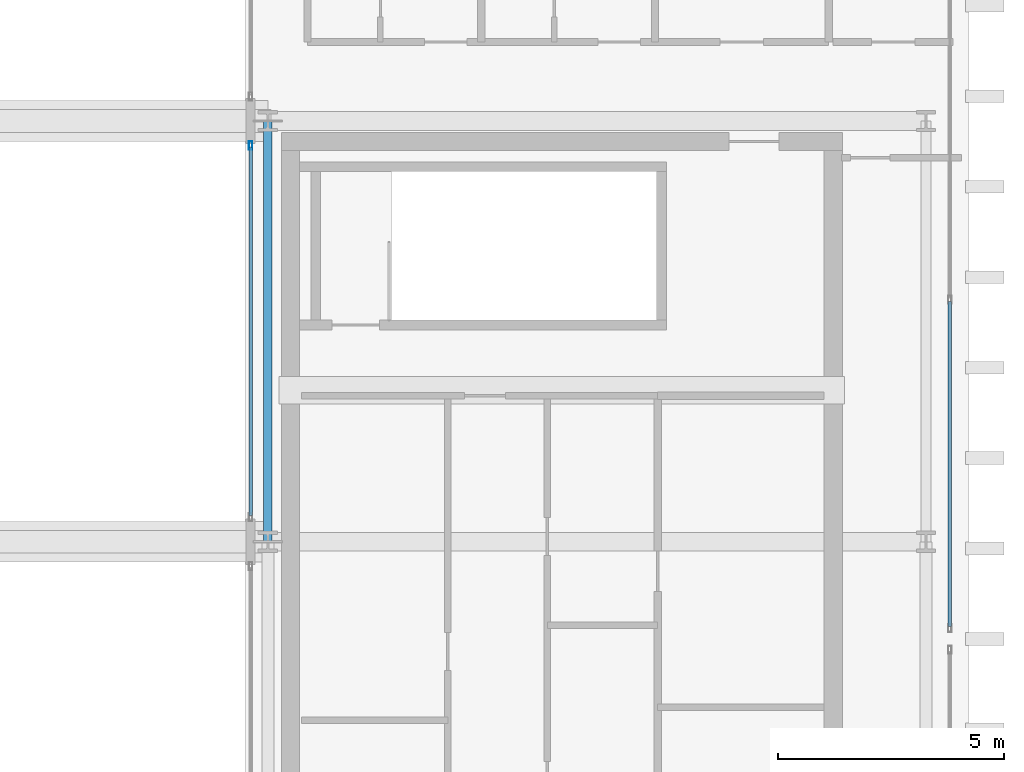
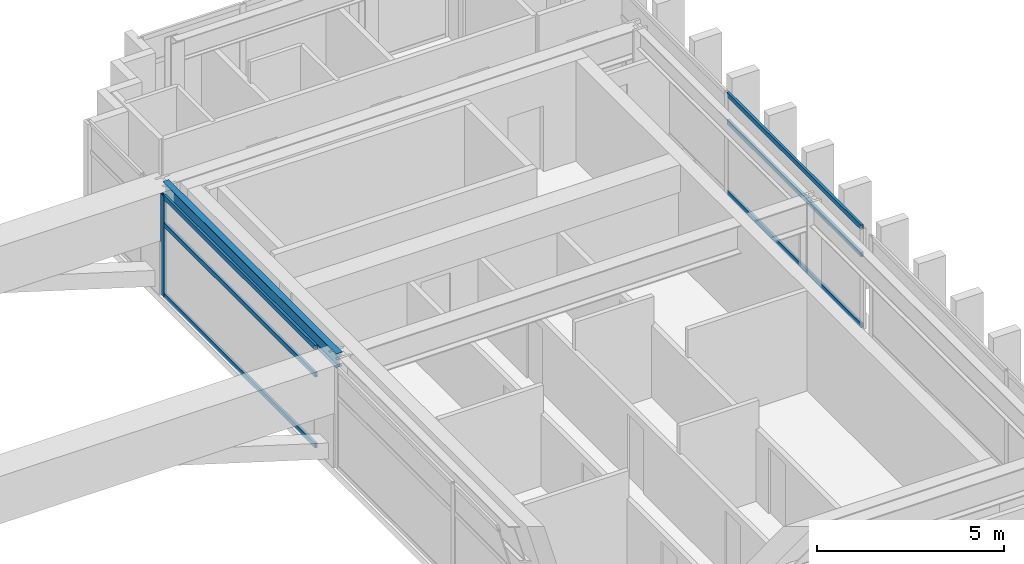
# One storey, part 15 of 28: 7 members, 1 beam, 2 elements without a shape of their own.
"""IFC4 building model written with IfcOpenShell, lengths in metres."""

from ifc_helpers import new_model, si_unit, direction, frame, origin, origin_2d, place, context, subcontext, project, spatial, hollow_rectangle, i_section, extrude, source, transform, mapped, material, layer, layer_set, material_profile, profile_set, type_object, element, aggregate, save


model = new_model("IFC4")

# Units and contexts
model_context = context("Model", 3, precision=1e-05, world=origin(), true_north=direction((0.0, 1.0)))
body_context = subcontext(model_context, "Body", "Model", "MODEL_VIEW")
ifc_project = project(units=[si_unit("LENGTHUNIT", "METRE"), si_unit("AREAUNIT", "SQUARE_METRE"), si_unit("VOLUMEUNIT", "CUBIC_METRE"), si_unit("PLANEANGLEUNIT", "RADIAN"), si_unit("MASSUNIT", "GRAM", prefix="KILO")], contexts=[model_context])

# Site, building, storey
site_placement = place(None, origin())
site = spatial("IfcSite", under=ifc_project, at=site_placement, CompositionType="ELEMENT")
building_placement = place(site_placement, origin())
building = spatial("IfcBuilding", under=site, at=building_placement, Name="Ocotamira Hotel", CompositionType="ELEMENT")
storey_placement = place(building_placement, frame((0.0, 0.0, 268.800048828125)))
storey = spatial("IfcBuildingStorey", under=building, at=storey_placement, Name="L68", CompositionType="ELEMENT", Elevation=268.800048828125)

# Beam
ifc_material_1 = material(Name="Steel ASTM A992 Grade 50", Category="steel")
ifc_material_profile_1 = material_profile(ifc_material_1, i_section(OverallWidth=0.18994140625, OverallDepth=0.45703125, WebThickness=0.009033203125, FlangeThickness=0.014404296875, FilletRadius=0.010009765625, at=origin_2d()), Name="W18X50")
ifc_profile_set_1 = profile_set([ifc_material_profile_1], Name="Steel ASTM A992 Grade 50")
beam_type = type_object("IfcBeamType", Name="BM-SEC-W18X50", PredefinedType="JOIST", material=ifc_profile_set_1)
shared_shape_1 = source(origin(), body_context, "Body", "SweptSolid", [
    extrude(i_section(OverallWidth=0.18994140625, OverallDepth=0.45703125, WebThickness=0.009033203125, FlangeThickness=0.014404296875, FilletRadius=0.010009765625, at=origin_2d()), origin(), (0.0, 0.0, 1.0), 9.300048828125),
])
beam_placement = place(storey_placement, frame((40.5, 28.14990234375, 3.051513671875), z_axis=(0.0, 1.0, 0.0), x_axis=(-1.0, 0.0, 0.0)))
element("IfcBeam", 1, at=beam_placement, inside=storey, type_object=beam_type, Name="L68 Beam X40.5 Y28.15-37.45", PredefinedType="JOIST", context=body_context, shape_type="MappedRepresentation", body=[
    mapped(shared_shape_1, transform((0.0, 0.0, 0.0), scale=1.0)),
])

# Curtain wall, member
ifc_material_2 = material(Name="Anodised pale-metal aluminium and solar glass", Category="aluminium")
ifc_layer = layer(ifc_material_2, 0.2099609375)
ifc_layer_set = layer_set([ifc_layer], Name="Anodised pale-metal aluminium and solar glass")
curtain_wall_type = type_object("IfcCurtainWallType", Name="CW-SYS7-PEAK", PredefinedType="NOTDEFINED", material=ifc_layer_set)
curtain_wall_1_placement = place(storey_placement, origin())
curtain_wall_1 = element("IfcCurtainWall", 2, at=curtain_wall_1_placement, inside=storey, type_object=curtain_wall_type, Name="L68 Curtain Wall CW-7 CW-L68-EI3", PredefinedType="NOTDEFINED")
ifc_material_3 = material(Name="Anodised pale-metal aluminium 6063-T6", Category="aluminium")
ifc_material_profile_2 = material_profile(ifc_material_3, hollow_rectangle(XDim=0.080078125, YDim=0.179931640625, WallThickness=0.006103515625, at=origin_2d()), Name="HSS180X80X6")
ifc_profile_set_2 = profile_set([ifc_material_profile_2], Name="Anodised pale-metal aluminium 6063-T6")
member_type_1 = type_object("IfcMemberType", Name="CWM-180X75", PredefinedType="MULLION", material=ifc_profile_set_2)
shared_shape_2 = source(origin(), body_context, "Body", "SweptSolid", [
    extrude(hollow_rectangle(XDim=0.080078125, YDim=0.179931640625, WallThickness=0.006103515625, at=origin_2d()), origin(), (0.0, 0.0, 1.0), 3.280029296875),
])
member_1_placement = place(storey_placement, frame((40.1201171875, 36.909912109375, 0.0), z_axis=(0.0, 0.0, 1.0), x_axis=(-1.0, 0.0, 0.0)))
member_1 = element("IfcMember", 3, at=member_1_placement, type_object=member_type_1, Name="CW-7 mullion 2", PredefinedType="MULLION", context=body_context, shape_type="MappedRepresentation", body=[
    mapped(shared_shape_2, transform((0.0, 0.0, 0.0), scale=1.0)),
])

# Curtain wall, members
curtain_wall_2_placement = place(storey_placement, origin())
curtain_wall_2 = element("IfcCurtainWall", 4, at=curtain_wall_2_placement, inside=storey, type_object=curtain_wall_type, Name="L68 Curtain Wall CW-7 CW-L68-EO2", PredefinedType="NOTDEFINED")
ifc_material_profile_3 = material_profile(ifc_material_3, hollow_rectangle(XDim=0.074951171875, YDim=0.14990234375, WallThickness=0.006103515625, at=origin_2d()), Name="HSS150X75X6")
ifc_profile_set_3 = profile_set([ifc_material_profile_3], Name="Anodised pale-metal aluminium 6063-T6")
member_type_2 = type_object("IfcMemberType", Name="CWT-150X75", PredefinedType="USERDEFINED", material=ifc_profile_set_3)
shared_shape_3 = source(origin(), body_context, "Body", "SweptSolid", [
    extrude(hollow_rectangle(XDim=0.074951171875, YDim=0.14990234375, WallThickness=0.006103515625, at=origin_2d()), origin(), (0.0, 0.0, 1.0), 7.179931640625),
])
member_2_placement = place(storey_placement, frame((55.580078125, 26.280029296875, 0.037353515625), z_axis=(0.0, 1.0, 0.0), x_axis=(-1.0, 0.0, 0.0)))
member_2 = element("IfcMember", 5, at=member_2_placement, type_object=member_type_2, Name="CW-7 transom 1.1", ObjectType="TRANSOM", PredefinedType="USERDEFINED", context=body_context, shape_type="MappedRepresentation", body=[
    mapped(shared_shape_3, transform((0.0, 0.0, 0.0), scale=1.0)),
])
member_3_placement = place(storey_placement, frame((55.580078125, 26.280029296875, 2.349853515625), z_axis=(0.0, 1.0, 0.0), x_axis=(-1.0, 0.0, 0.0)))
member_3 = element("IfcMember", 6, at=member_3_placement, type_object=member_type_2, Name="CW-7 transom 1.2", ObjectType="TRANSOM", PredefinedType="USERDEFINED", context=body_context, shape_type="MappedRepresentation", body=[
    mapped(shared_shape_3, transform((0.0, 0.0, 0.0), scale=1.0)),
])
member_4_placement = place(storey_placement, frame((55.580078125, 26.280029296875, 3.242431640625), z_axis=(0.0, 1.0, 0.0), x_axis=(-1.0, 0.0, 0.0)))
member_4 = element("IfcMember", 7, at=member_4_placement, type_object=member_type_2, Name="CW-7 transom 1.3", ObjectType="TRANSOM", PredefinedType="USERDEFINED", context=body_context, shape_type="MappedRepresentation", body=[
    mapped(shared_shape_3, transform((0.0, 0.0, 0.0), scale=1.0)),
])
aggregate(curtain_wall_2, [member_2, member_3, member_4])

# Member
shared_shape_4 = source(origin(), body_context, "Body", "SweptSolid", [
    extrude(hollow_rectangle(XDim=0.074951171875, YDim=0.14990234375, WallThickness=0.006103515625, at=origin_2d()), origin(), (0.0, 0.0, 1.0), 8.14013671875),
])
member_5_placement = place(storey_placement, frame((40.1201171875, 28.72998046875, 0.037353515625), z_axis=(0.0, 1.0, 0.0), x_axis=(-1.0, 0.0, 0.0)))
member_5 = element("IfcMember", 8, at=member_5_placement, type_object=member_type_2, Name="CW-7 transom 1.1", ObjectType="TRANSOM", PredefinedType="USERDEFINED", context=body_context, shape_type="MappedRepresentation", body=[
    mapped(shared_shape_4, transform((0.0, 0.0, 0.0), scale=1.0)),
])

member_6_placement = place(storey_placement, frame((40.1201171875, 28.72998046875, 2.349853515625), z_axis=(0.0, 1.0, 0.0), x_axis=(-1.0, 0.0, 0.0)))
member_6 = element("IfcMember", 9, at=member_6_placement, type_object=member_type_2, Name="CW-7 transom 1.2", ObjectType="TRANSOM", PredefinedType="USERDEFINED", context=body_context, shape_type="MappedRepresentation", body=[
    mapped(shared_shape_4, transform((0.0, 0.0, 0.0), scale=1.0)),
])

member_7_placement = place(storey_placement, frame((40.1201171875, 28.72998046875, 3.242431640625), z_axis=(0.0, 1.0, 0.0), x_axis=(-1.0, 0.0, 0.0)))
member_7 = element("IfcMember", 10, at=member_7_placement, type_object=member_type_2, Name="CW-7 transom 1.3", ObjectType="TRANSOM", PredefinedType="USERDEFINED", context=body_context, shape_type="MappedRepresentation", body=[
    mapped(shared_shape_4, transform((0.0, 0.0, 0.0), scale=1.0)),
])

aggregate(curtain_wall_1, [member_1, member_5, member_6, member_7])

save(model, "model.ifc")
